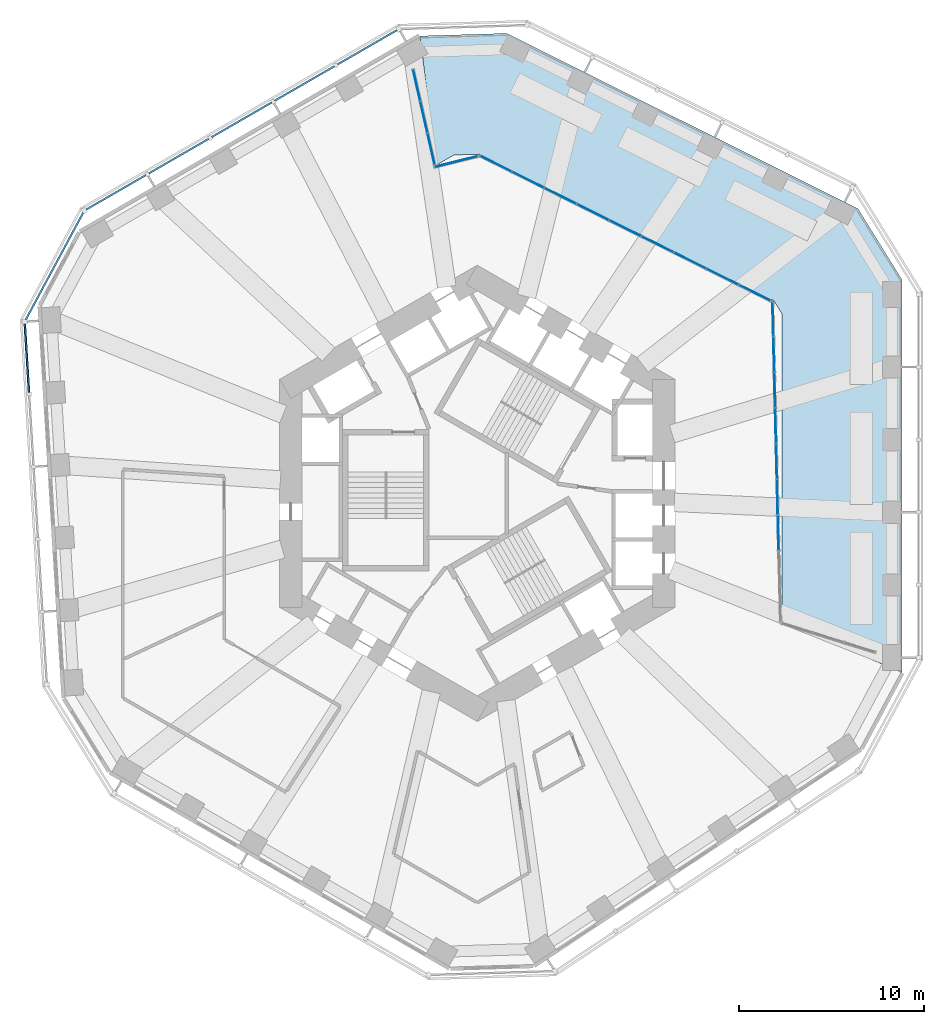
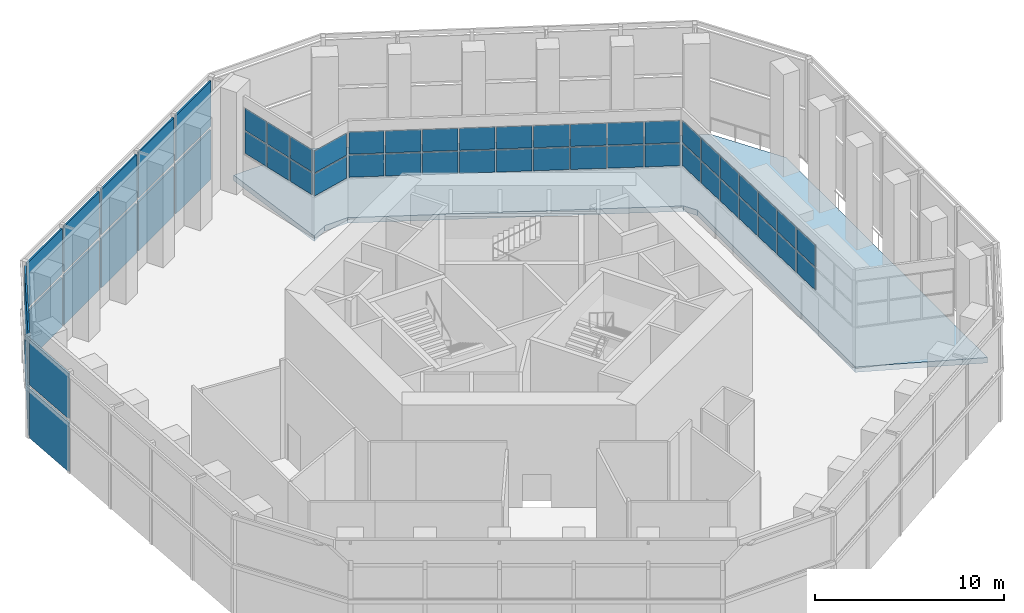
# One storey, part 7 of 17: 54 plates, 1 slab, 7 elements without a shape of their own.
"""IFC4 building model written with IfcOpenShell, lengths in metres."""

from ifc_helpers import new_model, si_unit, direction, frame, origin, origin_2d, place, context, subcontext, project, spatial, polyline, rectangle, outline, extrude, material, layer, layer_set, type_object, element, aggregate, save


model = new_model("IFC4")

# Units and contexts
model_context = context("Model", 3, precision=1e-05, world=origin(), true_north=direction((0.0, 1.0)))
body_context = subcontext(model_context, "Body", "Model", "MODEL_VIEW")
ifc_project = project(units=[si_unit("LENGTHUNIT", "METRE"), si_unit("AREAUNIT", "SQUARE_METRE"), si_unit("VOLUMEUNIT", "CUBIC_METRE"), si_unit("PLANEANGLEUNIT", "RADIAN"), si_unit("MASSUNIT", "GRAM", prefix="KILO")], contexts=[model_context])

# Site, building, storey
site_placement = place(None, origin())
site = spatial("IfcSite", under=ifc_project, at=site_placement, CompositionType="ELEMENT")
building_placement = place(site_placement, origin())
building = spatial("IfcBuilding", under=site, at=building_placement, Name="Vanh Sen Convention Tower", CompositionType="ELEMENT")
storey_placement = place(building_placement, frame((0.0, 0.0, 77.0)))
storey = spatial("IfcBuildingStorey", under=building, at=storey_placement, Name="L17", CompositionType="ELEMENT", Elevation=77.0)

# Curtain wall, plates
ifc_material_1 = material(Name="Aluminium structural glazing system", Category="aluminium")
curtain_wall_type_1 = type_object("IfcCurtainWallType", Name="Sky garden structural glazing", PredefinedType="NOTDEFINED", material=ifc_material_1)
curtain_wall_1_placement = place(storey_placement, origin())
curtain_wall_1 = element("IfcCurtainWall", 1, at=curtain_wall_1_placement, inside=storey, type_object=curtain_wall_type_1, Name="Winter garden glazing 1 L17", PredefinedType="NOTDEFINED")
ifc_material_2 = material(Name="Clear toughened safety glass", Category="glass")
ifc_layer_1 = layer(ifc_material_2, 0.035888671875)
ifc_layer_set_1 = layer_set([ifc_layer_1], Name="Clear toughened safety glass")
plate_type_1 = type_object("IfcPlateType", Name="Garden glazing clear glass panel 36", PredefinedType="CURTAIN_PANEL", material=ifc_layer_set_1)
plate_1_placement = place(storey_placement, frame((-3.27978515625, 22.100830078125, 2.669921875), z_axis=(0.0, 0.0, 1.0), x_axis=(0.220445747654, -0.975399237411, 0.0)))
plate_1 = element("IfcPlate", 2, at=plate_1_placement, type_object=plate_type_1, Name="CW5 panel 1.1", PredefinedType="CURTAIN_PANEL", context=body_context, shape_type="SweptSolid", body=[
    extrude(rectangle(XDim=1.682373046875, YDim=0.035888671875, at=origin_2d()), origin(), (0.0, 0.0, 1.0), 1.419921875),
])
plate_2_placement = place(storey_placement, frame((-3.27978515625, 22.100830078125, 4.16015625), z_axis=(0.0, 0.0, 1.0), x_axis=(0.220445747654, -0.975399237411, 0.0)))
plate_2 = element("IfcPlate", 3, at=plate_2_placement, type_object=plate_type_1, Name="CW5 panel 1.2", PredefinedType="CURTAIN_PANEL", context=body_context, shape_type="SweptSolid", body=[
    extrude(rectangle(XDim=1.682373046875, YDim=0.035888671875, at=origin_2d()), origin(), (0.0, 0.0, 1.0), 1.419921875),
])
plate_3_placement = place(storey_placement, frame((-2.8896484375, 20.37451171875, 2.669921875), z_axis=(0.0, 0.0, 1.0), x_axis=(0.220445747654, -0.975399237411, 0.0)))
plate_3 = element("IfcPlate", 4, at=plate_3_placement, type_object=plate_type_1, Name="CW5 panel 2.1", PredefinedType="CURTAIN_PANEL", context=body_context, shape_type="SweptSolid", body=[
    extrude(rectangle(XDim=1.717529296875, YDim=0.035888671875, at=origin_2d()), origin(), (0.0, 0.0, 1.0), 1.419921875),
])
plate_4_placement = place(storey_placement, frame((-2.8896484375, 20.37451171875, 4.16015625), z_axis=(0.0, 0.0, 1.0), x_axis=(0.220445747654, -0.975399237411, 0.0)))
plate_4 = element("IfcPlate", 5, at=plate_4_placement, type_object=plate_type_1, Name="CW5 panel 2.2", PredefinedType="CURTAIN_PANEL", context=body_context, shape_type="SweptSolid", body=[
    extrude(rectangle(XDim=1.717529296875, YDim=0.035888671875, at=origin_2d()), origin(), (0.0, 0.0, 1.0), 1.419921875),
])
plate_5_placement = place(storey_placement, frame((-2.499267578125, 18.64794921875, 2.669921875), z_axis=(0.0, 0.0, 1.0), x_axis=(0.220445747654, -0.975399237411, 0.0)))
plate_5 = element("IfcPlate", 6, at=plate_5_placement, type_object=plate_type_1, Name="CW5 panel 3.1", PredefinedType="CURTAIN_PANEL", context=body_context, shape_type="SweptSolid", body=[
    extrude(rectangle(XDim=1.682373046875, YDim=0.035888671875, at=origin_2d()), origin(), (0.0, 0.0, 1.0), 1.419921875),
])
plate_6_placement = place(storey_placement, frame((-2.499267578125, 18.64794921875, 4.16015625), z_axis=(0.0, 0.0, 1.0), x_axis=(0.220445747654, -0.975399237411, 0.0)))
plate_6 = element("IfcPlate", 7, at=plate_6_placement, type_object=plate_type_1, Name="CW5 panel 3.2", PredefinedType="CURTAIN_PANEL", context=body_context, shape_type="SweptSolid", body=[
    extrude(rectangle(XDim=1.682373046875, YDim=0.035888671875, at=origin_2d()), origin(), (0.0, 0.0, 1.0), 1.419921875),
])
aggregate(curtain_wall_1, [plate_1, plate_2, plate_3, plate_4, plate_5, plate_6])

curtain_wall_2_placement = place(storey_placement, origin())
curtain_wall_2 = element("IfcCurtainWall", 8, at=curtain_wall_2_placement, inside=storey, type_object=curtain_wall_type_1, Name="Winter garden glazing 2 L17", PredefinedType="NOTDEFINED")
plate_7_placement = place(storey_placement, frame((-1.139404296875, 17.9638671875, 2.669921875), z_axis=(0.0, 0.0, 1.0), x_axis=(0.969816771007, 0.243834843024, 0.0)))
plate_7 = element("IfcPlate", 9, at=plate_7_placement, type_object=plate_type_1, Name="CW5 panel 1.1", PredefinedType="CURTAIN_PANEL", context=body_context, shape_type="SweptSolid", body=[
    extrude(rectangle(XDim=2.35888671875, YDim=0.035888671875, at=origin_2d()), origin(), (0.0, 0.0, 1.0), 1.419921875),
])
plate_8_placement = place(storey_placement, frame((-1.139404296875, 17.9638671875, 4.16015625), z_axis=(0.0, 0.0, 1.0), x_axis=(0.969816771007, 0.243834843024, 0.0)))
plate_8 = element("IfcPlate", 10, at=plate_8_placement, type_object=plate_type_1, Name="CW5 panel 1.2", PredefinedType="CURTAIN_PANEL", context=body_context, shape_type="SweptSolid", body=[
    extrude(rectangle(XDim=2.35888671875, YDim=0.035888671875, at=origin_2d()), origin(), (0.0, 0.0, 1.0), 1.419921875),
])
aggregate(curtain_wall_2, [plate_7, plate_8])

curtain_wall_3_placement = place(storey_placement, origin())
curtain_wall_3 = element("IfcCurtainWall", 11, at=curtain_wall_3_placement, inside=storey, type_object=curtain_wall_type_1, Name="Winter garden glazing 3 L17", PredefinedType="NOTDEFINED")
plate_9_placement = place(storey_placement, frame((1.006103515625, 17.851806640625, 2.669921875), z_axis=(0.0, 0.0, 1.0), x_axis=(0.894931751706, -0.446203047714, 0.0)))
plate_9 = element("IfcPlate", 12, at=plate_9_placement, type_object=plate_type_1, Name="CW5 panel 1.1", PredefinedType="CURTAIN_PANEL", context=body_context, shape_type="SweptSolid", body=[
    extrude(rectangle(XDim=1.857177734375, YDim=0.035888671875, at=origin_2d()), origin(), (0.0, 0.0, 1.0), 1.419921875),
])
plate_10_placement = place(storey_placement, frame((1.006103515625, 17.851806640625, 4.16015625), z_axis=(0.0, 0.0, 1.0), x_axis=(0.894931751706, -0.446203047714, 0.0)))
plate_10 = element("IfcPlate", 13, at=plate_10_placement, type_object=plate_type_1, Name="CW5 panel 1.2", PredefinedType="CURTAIN_PANEL", context=body_context, shape_type="SweptSolid", body=[
    extrude(rectangle(XDim=1.857177734375, YDim=0.035888671875, at=origin_2d()), origin(), (0.0, 0.0, 1.0), 1.419921875),
])
plate_11_placement = place(storey_placement, frame((2.746337890625, 16.984130859375, 2.669921875), z_axis=(0.0, 0.0, 1.0), x_axis=(0.894931751706, -0.446203047714, 0.0)))
plate_11 = element("IfcPlate", 14, at=plate_11_placement, type_object=plate_type_1, Name="CW5 panel 2.1", PredefinedType="CURTAIN_PANEL", context=body_context, shape_type="SweptSolid", body=[
    extrude(rectangle(XDim=1.89208984375, YDim=0.035888671875, at=origin_2d()), origin(), (0.0, 0.0, 1.0), 1.419921875),
])
plate_12_placement = place(storey_placement, frame((2.746337890625, 16.984130859375, 4.16015625), z_axis=(0.0, 0.0, 1.0), x_axis=(0.894931751706, -0.446203047714, 0.0)))
plate_12 = element("IfcPlate", 15, at=plate_12_placement, type_object=plate_type_1, Name="CW5 panel 2.2", PredefinedType="CURTAIN_PANEL", context=body_context, shape_type="SweptSolid", body=[
    extrude(rectangle(XDim=1.89208984375, YDim=0.035888671875, at=origin_2d()), origin(), (0.0, 0.0, 1.0), 1.419921875),
])
plate_13_placement = place(storey_placement, frame((4.50244140625, 16.108642578125, 2.669921875), z_axis=(0.0, 0.0, 1.0), x_axis=(0.894931751706, -0.446203047714, 0.0)))
plate_13 = element("IfcPlate", 16, at=plate_13_placement, type_object=plate_type_1, Name="CW5 panel 3.1", PredefinedType="CURTAIN_PANEL", context=body_context, shape_type="SweptSolid", body=[
    extrude(rectangle(XDim=1.89208984375, YDim=0.035888671875, at=origin_2d()), origin(), (0.0, 0.0, 1.0), 1.419921875),
])
plate_14_placement = place(storey_placement, frame((4.50244140625, 16.108642578125, 4.16015625), z_axis=(0.0, 0.0, 1.0), x_axis=(0.894931751706, -0.446203047714, 0.0)))
plate_14 = element("IfcPlate", 17, at=plate_14_placement, type_object=plate_type_1, Name="CW5 panel 3.2", PredefinedType="CURTAIN_PANEL", context=body_context, shape_type="SweptSolid", body=[
    extrude(rectangle(XDim=1.89208984375, YDim=0.035888671875, at=origin_2d()), origin(), (0.0, 0.0, 1.0), 1.419921875),
])
plate_15_placement = place(storey_placement, frame((6.25830078125, 15.233154296875, 2.669921875), z_axis=(0.0, 0.0, 1.0), x_axis=(0.894931751706, -0.446203047714, 0.0)))
plate_15 = element("IfcPlate", 18, at=plate_15_placement, type_object=plate_type_1, Name="CW5 panel 4.1", PredefinedType="CURTAIN_PANEL", context=body_context, shape_type="SweptSolid", body=[
    extrude(rectangle(XDim=1.89208984375, YDim=0.035888671875, at=origin_2d()), origin(), (0.0, 0.0, 1.0), 1.419921875),
])
plate_16_placement = place(storey_placement, frame((6.25830078125, 15.233154296875, 4.16015625), z_axis=(0.0, 0.0, 1.0), x_axis=(0.894931751706, -0.446203047714, 0.0)))
plate_16 = element("IfcPlate", 19, at=plate_16_placement, type_object=plate_type_1, Name="CW5 panel 4.2", PredefinedType="CURTAIN_PANEL", context=body_context, shape_type="SweptSolid", body=[
    extrude(rectangle(XDim=1.89208984375, YDim=0.035888671875, at=origin_2d()), origin(), (0.0, 0.0, 1.0), 1.419921875),
])
plate_17_placement = place(storey_placement, frame((8.01416015625, 14.357666015625, 2.669921875), z_axis=(0.0, 0.0, 1.0), x_axis=(0.894931751706, -0.446203047714, 0.0)))
plate_17 = element("IfcPlate", 20, at=plate_17_placement, type_object=plate_type_1, Name="CW5 panel 5.1", PredefinedType="CURTAIN_PANEL", context=body_context, shape_type="SweptSolid", body=[
    extrude(rectangle(XDim=1.89208984375, YDim=0.035888671875, at=origin_2d()), origin(), (0.0, 0.0, 1.0), 1.419921875),
])
plate_18_placement = place(storey_placement, frame((8.01416015625, 14.357666015625, 4.16015625), z_axis=(0.0, 0.0, 1.0), x_axis=(0.894931751706, -0.446203047714, 0.0)))
plate_18 = element("IfcPlate", 21, at=plate_18_placement, type_object=plate_type_1, Name="CW5 panel 5.2", PredefinedType="CURTAIN_PANEL", context=body_context, shape_type="SweptSolid", body=[
    extrude(rectangle(XDim=1.89208984375, YDim=0.035888671875, at=origin_2d()), origin(), (0.0, 0.0, 1.0), 1.419921875),
])
plate_19_placement = place(storey_placement, frame((9.77001953125, 13.482177734375, 2.669921875), z_axis=(0.0, 0.0, 1.0), x_axis=(0.894931751706, -0.446203047714, 0.0)))
plate_19 = element("IfcPlate", 22, at=plate_19_placement, type_object=plate_type_1, Name="CW5 panel 6.1", PredefinedType="CURTAIN_PANEL", context=body_context, shape_type="SweptSolid", body=[
    extrude(rectangle(XDim=1.89208984375, YDim=0.035888671875, at=origin_2d()), origin(), (0.0, 0.0, 1.0), 1.419921875),
])
plate_20_placement = place(storey_placement, frame((9.77001953125, 13.482177734375, 4.16015625), z_axis=(0.0, 0.0, 1.0), x_axis=(0.894931751706, -0.446203047714, 0.0)))
plate_20 = element("IfcPlate", 23, at=plate_20_placement, type_object=plate_type_1, Name="CW5 panel 6.2", PredefinedType="CURTAIN_PANEL", context=body_context, shape_type="SweptSolid", body=[
    extrude(rectangle(XDim=1.89208984375, YDim=0.035888671875, at=origin_2d()), origin(), (0.0, 0.0, 1.0), 1.419921875),
])
plate_21_placement = place(storey_placement, frame((11.526123046875, 12.606689453125, 2.669921875), z_axis=(0.0, 0.0, 1.0), x_axis=(0.894931751706, -0.446203047714, 0.0)))
plate_21 = element("IfcPlate", 24, at=plate_21_placement, type_object=plate_type_1, Name="CW5 panel 7.1", PredefinedType="CURTAIN_PANEL", context=body_context, shape_type="SweptSolid", body=[
    extrude(rectangle(XDim=1.89208984375, YDim=0.035888671875, at=origin_2d()), origin(), (0.0, 0.0, 1.0), 1.419921875),
])
plate_22_placement = place(storey_placement, frame((11.526123046875, 12.606689453125, 4.16015625), z_axis=(0.0, 0.0, 1.0), x_axis=(0.894931751706, -0.446203047714, 0.0)))
plate_22 = element("IfcPlate", 25, at=plate_22_placement, type_object=plate_type_1, Name="CW5 panel 7.2", PredefinedType="CURTAIN_PANEL", context=body_context, shape_type="SweptSolid", body=[
    extrude(rectangle(XDim=1.89208984375, YDim=0.035888671875, at=origin_2d()), origin(), (0.0, 0.0, 1.0), 1.419921875),
])
plate_23_placement = place(storey_placement, frame((13.281982421875, 11.731201171875, 2.669921875), z_axis=(0.0, 0.0, 1.0), x_axis=(0.894931751706, -0.446203047714, 0.0)))
plate_23 = element("IfcPlate", 26, at=plate_23_placement, type_object=plate_type_1, Name="CW5 panel 8.1", PredefinedType="CURTAIN_PANEL", context=body_context, shape_type="SweptSolid", body=[
    extrude(rectangle(XDim=1.89208984375, YDim=0.035888671875, at=origin_2d()), origin(), (0.0, 0.0, 1.0), 1.419921875),
])
plate_24_placement = place(storey_placement, frame((13.281982421875, 11.731201171875, 4.16015625), z_axis=(0.0, 0.0, 1.0), x_axis=(0.894931751706, -0.446203047714, 0.0)))
plate_24 = element("IfcPlate", 27, at=plate_24_placement, type_object=plate_type_1, Name="CW5 panel 8.2", PredefinedType="CURTAIN_PANEL", context=body_context, shape_type="SweptSolid", body=[
    extrude(rectangle(XDim=1.89208984375, YDim=0.035888671875, at=origin_2d()), origin(), (0.0, 0.0, 1.0), 1.419921875),
])
plate_25_placement = place(storey_placement, frame((15.022216796875, 10.863525390625, 2.669921875), z_axis=(0.0, 0.0, 1.0), x_axis=(0.894931751706, -0.446203047714, 0.0)))
plate_25 = element("IfcPlate", 28, at=plate_25_placement, type_object=plate_type_1, Name="CW5 panel 9.1", PredefinedType="CURTAIN_PANEL", context=body_context, shape_type="SweptSolid", body=[
    extrude(rectangle(XDim=1.857177734375, YDim=0.035888671875, at=origin_2d()), origin(), (0.0, 0.0, 1.0), 1.419921875),
])
plate_26_placement = place(storey_placement, frame((15.022216796875, 10.863525390625, 4.16015625), z_axis=(0.0, 0.0, 1.0), x_axis=(0.894931751706, -0.446203047714, 0.0)))
plate_26 = element("IfcPlate", 29, at=plate_26_placement, type_object=plate_type_1, Name="CW5 panel 9.2", PredefinedType="CURTAIN_PANEL", context=body_context, shape_type="SweptSolid", body=[
    extrude(rectangle(XDim=1.857177734375, YDim=0.035888671875, at=origin_2d()), origin(), (0.0, 0.0, 1.0), 1.419921875),
])
aggregate(curtain_wall_3, [plate_9, plate_10, plate_11, plate_12, plate_13, plate_14, plate_15, plate_16, plate_17, plate_18, plate_19, plate_20, plate_21, plate_22, plate_23, plate_24, plate_25, plate_26])

curtain_wall_4_placement = place(storey_placement, origin())
curtain_wall_4 = element("IfcCurtainWall", 30, at=curtain_wall_4_placement, inside=storey, type_object=curtain_wall_type_1, Name="Winter garden glazing 4 L17", PredefinedType="NOTDEFINED")
plate_27_placement = place(storey_placement, frame((16.015380859375, 9.44140625, 2.669921875), z_axis=(0.0, 0.0, 1.0), x_axis=(0.024971939984, -0.999688152482, 0.0)))
plate_27 = element("IfcPlate", 31, at=plate_27_placement, type_object=plate_type_1, Name="CW5 panel 1.1", PredefinedType="CURTAIN_PANEL", context=body_context, shape_type="SweptSolid", body=[
    extrude(rectangle(XDim=1.827880859375, YDim=0.035888671875, at=origin_2d()), origin(), (0.0, 0.0, 1.0), 1.419921875),
])
plate_28_placement = place(storey_placement, frame((16.015380859375, 9.44140625, 4.16015625), z_axis=(0.0, 0.0, 1.0), x_axis=(0.024971939984, -0.999688152482, 0.0)))
plate_28 = element("IfcPlate", 32, at=plate_28_placement, type_object=plate_type_1, Name="CW5 panel 1.2", PredefinedType="CURTAIN_PANEL", context=body_context, shape_type="SweptSolid", body=[
    extrude(rectangle(XDim=1.827880859375, YDim=0.035888671875, at=origin_2d()), origin(), (0.0, 0.0, 1.0), 1.419921875),
])
plate_29_placement = place(storey_placement, frame((16.06298828125, 7.52685546875, 2.669921875), z_axis=(0.0, 0.0, 1.0), x_axis=(0.024971939984, -0.999688152482, 0.0)))
plate_29 = element("IfcPlate", 33, at=plate_29_placement, type_object=plate_type_1, Name="CW5 panel 2.1", PredefinedType="CURTAIN_PANEL", context=body_context, shape_type="SweptSolid", body=[
    extrude(rectangle(XDim=1.86279296875, YDim=0.035888671875, at=origin_2d()), origin(), (0.0, 0.0, 1.0), 1.419921875),
])
plate_30_placement = place(storey_placement, frame((16.06298828125, 7.52685546875, 4.16015625), z_axis=(0.0, 0.0, 1.0), x_axis=(0.024971939984, -0.999688152482, 0.0)))
plate_30 = element("IfcPlate", 34, at=plate_30_placement, type_object=plate_type_1, Name="CW5 panel 2.2", PredefinedType="CURTAIN_PANEL", context=body_context, shape_type="SweptSolid", body=[
    extrude(rectangle(XDim=1.86279296875, YDim=0.035888671875, at=origin_2d()), origin(), (0.0, 0.0, 1.0), 1.419921875),
])
plate_31_placement = place(storey_placement, frame((16.111328125, 5.594482421875, 2.669921875), z_axis=(0.0, 0.0, 1.0), x_axis=(0.024971939984, -0.999688152482, 0.0)))
plate_31 = element("IfcPlate", 35, at=plate_31_placement, type_object=plate_type_1, Name="CW5 panel 3.1", PredefinedType="CURTAIN_PANEL", context=body_context, shape_type="SweptSolid", body=[
    extrude(rectangle(XDim=1.86279296875, YDim=0.035888671875, at=origin_2d()), origin(), (0.0, 0.0, 1.0), 1.419921875),
])
plate_32_placement = place(storey_placement, frame((16.111328125, 5.594482421875, 4.16015625), z_axis=(0.0, 0.0, 1.0), x_axis=(0.024971939984, -0.999688152482, 0.0)))
plate_32 = element("IfcPlate", 36, at=plate_32_placement, type_object=plate_type_1, Name="CW5 panel 3.2", PredefinedType="CURTAIN_PANEL", context=body_context, shape_type="SweptSolid", body=[
    extrude(rectangle(XDim=1.86279296875, YDim=0.035888671875, at=origin_2d()), origin(), (0.0, 0.0, 1.0), 1.419921875),
])
plate_33_placement = place(storey_placement, frame((16.15966796875, 3.662353515625, 2.669921875), z_axis=(0.0, 0.0, 1.0), x_axis=(0.024971939984, -0.999688152482, 0.0)))
plate_33 = element("IfcPlate", 37, at=plate_33_placement, type_object=plate_type_1, Name="CW5 panel 4.1", PredefinedType="CURTAIN_PANEL", context=body_context, shape_type="SweptSolid", body=[
    extrude(rectangle(XDim=1.86279296875, YDim=0.035888671875, at=origin_2d()), origin(), (0.0, 0.0, 1.0), 1.419921875),
])
plate_34_placement = place(storey_placement, frame((16.15966796875, 3.662353515625, 4.16015625), z_axis=(0.0, 0.0, 1.0), x_axis=(0.024971939984, -0.999688152482, 0.0)))
plate_34 = element("IfcPlate", 38, at=plate_34_placement, type_object=plate_type_1, Name="CW5 panel 4.2", PredefinedType="CURTAIN_PANEL", context=body_context, shape_type="SweptSolid", body=[
    extrude(rectangle(XDim=1.86279296875, YDim=0.035888671875, at=origin_2d()), origin(), (0.0, 0.0, 1.0), 1.419921875),
])
plate_35_placement = place(storey_placement, frame((16.2080078125, 1.72998046875, 2.669921875), z_axis=(0.0, 0.0, 1.0), x_axis=(0.024971939984, -0.999688152482, 0.0)))
plate_35 = element("IfcPlate", 39, at=plate_35_placement, type_object=plate_type_1, Name="CW5 panel 5.1", PredefinedType="CURTAIN_PANEL", context=body_context, shape_type="SweptSolid", body=[
    extrude(rectangle(XDim=1.86279296875, YDim=0.035888671875, at=origin_2d()), origin(), (0.0, 0.0, 1.0), 1.419921875),
])
plate_36_placement = place(storey_placement, frame((16.2080078125, 1.72998046875, 4.16015625), z_axis=(0.0, 0.0, 1.0), x_axis=(0.024971939984, -0.999688152482, 0.0)))
plate_36 = element("IfcPlate", 40, at=plate_36_placement, type_object=plate_type_1, Name="CW5 panel 5.2", PredefinedType="CURTAIN_PANEL", context=body_context, shape_type="SweptSolid", body=[
    extrude(rectangle(XDim=1.86279296875, YDim=0.035888671875, at=origin_2d()), origin(), (0.0, 0.0, 1.0), 1.419921875),
])
plate_37_placement = place(storey_placement, frame((16.256103515625, -0.2021484375, 2.669921875), z_axis=(0.0, 0.0, 1.0), x_axis=(0.024971939984, -0.999688152482, 0.0)))
plate_37 = element("IfcPlate", 41, at=plate_37_placement, type_object=plate_type_1, Name="CW5 panel 6.1", PredefinedType="CURTAIN_PANEL", context=body_context, shape_type="SweptSolid", body=[
    extrude(rectangle(XDim=1.86279296875, YDim=0.035888671875, at=origin_2d()), origin(), (0.0, 0.0, 1.0), 1.419921875),
])
plate_38_placement = place(storey_placement, frame((16.256103515625, -0.2021484375, 4.16015625), z_axis=(0.0, 0.0, 1.0), x_axis=(0.024971939984, -0.999688152482, 0.0)))
plate_38 = element("IfcPlate", 42, at=plate_38_placement, type_object=plate_type_1, Name="CW5 panel 6.2", PredefinedType="CURTAIN_PANEL", context=body_context, shape_type="SweptSolid", body=[
    extrude(rectangle(XDim=1.86279296875, YDim=0.035888671875, at=origin_2d()), origin(), (0.0, 0.0, 1.0), 1.419921875),
])
plate_39_placement = place(storey_placement, frame((16.304443359375, -2.134521484375, 2.669921875), z_axis=(0.0, 0.0, 1.0), x_axis=(0.024971939984, -0.999688152482, 0.0)))
plate_39 = element("IfcPlate", 43, at=plate_39_placement, type_object=plate_type_1, Name="CW5 panel 7.1", PredefinedType="CURTAIN_PANEL", context=body_context, shape_type="SweptSolid", body=[
    extrude(rectangle(XDim=1.86279296875, YDim=0.035888671875, at=origin_2d()), origin(), (0.0, 0.0, 1.0), 1.419921875),
])
plate_40_placement = place(storey_placement, frame((16.304443359375, -2.134521484375, 4.16015625), z_axis=(0.0, 0.0, 1.0), x_axis=(0.024971939984, -0.999688152482, 0.0)))
plate_40 = element("IfcPlate", 44, at=plate_40_placement, type_object=plate_type_1, Name="CW5 panel 7.2", PredefinedType="CURTAIN_PANEL", context=body_context, shape_type="SweptSolid", body=[
    extrude(rectangle(XDim=1.86279296875, YDim=0.035888671875, at=origin_2d()), origin(), (0.0, 0.0, 1.0), 1.419921875),
])
aggregate(curtain_wall_4, [plate_27, plate_28, plate_29, plate_30, plate_31, plate_32, plate_33, plate_34, plate_35, plate_36, plate_37, plate_38, plate_39, plate_40])

ifc_material_3 = material(Name="Concrete C50/60", Category="concrete")
curtain_wall_type_2 = type_object("IfcCurtainWallType", Name="Outer skin hotel zone", PredefinedType="NOTDEFINED", material=ifc_material_3)
curtain_wall_5_placement = place(storey_placement, origin())
curtain_wall_5 = element("IfcCurtainWall", 45, at=curtain_wall_5_placement, inside=storey, type_object=curtain_wall_type_2, Name="OUTER SKIN NW L17", PredefinedType="NOTDEFINED")
ifc_layer_2 = layer(ifc_material_3, 0.10009765625)
ifc_layer_set_2 = layer_set([ifc_layer_2], Name="Concrete C50/60")
plate_type_2 = type_object("IfcPlateType", Name="Outer skin precast screen panel 100", PredefinedType="CURTAIN_PANEL", material=ifc_layer_set_2)
plate_41_placement = place(storey_placement, frame((-5.95751953125, 24.15771484375, 0.0), z_axis=(0.0, 0.0, 1.0), x_axis=(-0.866028021766, -0.499995465495, 0.0)))
plate_41 = element("IfcPlate", 46, at=plate_41_placement, type_object=plate_type_2, Name="OUTER SKIN screen panel NW-1", PredefinedType="CURTAIN_PANEL", context=body_context, shape_type="SweptSolid", body=[
    extrude(rectangle(XDim=3.709716796875, YDim=0.10009765625, at=origin_2d()), origin(), (0.0, 0.0, 1.0), 3.175048828125),
])
plate_42_placement = place(storey_placement, frame((-5.95751953125, 24.15771484375, 3.4248046875), z_axis=(0.0, 0.0, 1.0), x_axis=(-0.866028021766, -0.499995465495, 0.0)))
plate_42 = element("IfcPlate", 47, at=plate_42_placement, type_object=plate_type_2, Name="OUTER SKIN screen panel NW-1", PredefinedType="CURTAIN_PANEL", context=body_context, shape_type="SweptSolid", body=[
    extrude(rectangle(XDim=3.709716796875, YDim=0.10009765625, at=origin_2d()), origin(), (0.0, 0.0, 1.0), 2.925048828125),
])
plate_43_placement = place(storey_placement, frame((-9.354248046875, 22.19677734375, 0.0), z_axis=(0.0, 0.0, 1.0), x_axis=(-0.866021040428, -0.500007557478, 0.0)))
plate_43 = element("IfcPlate", 48, at=plate_43_placement, type_object=plate_type_2, Name="OUTER SKIN screen panel NW-2", PredefinedType="CURTAIN_PANEL", context=body_context, shape_type="SweptSolid", body=[
    extrude(rectangle(XDim=3.734619140625, YDim=0.10009765625, at=origin_2d()), origin(), (0.0, 0.0, 1.0), 3.175048828125),
])
plate_44_placement = place(storey_placement, frame((-9.354248046875, 22.19677734375, 3.4248046875), z_axis=(0.0, 0.0, 1.0), x_axis=(-0.866021040428, -0.500007557478, 0.0)))
plate_44 = element("IfcPlate", 49, at=plate_44_placement, type_object=plate_type_2, Name="OUTER SKIN screen panel NW-2", PredefinedType="CURTAIN_PANEL", context=body_context, shape_type="SweptSolid", body=[
    extrude(rectangle(XDim=3.734619140625, YDim=0.10009765625, at=origin_2d()), origin(), (0.0, 0.0, 1.0), 2.925048828125),
])
plate_45_placement = place(storey_placement, frame((-12.76171875, 20.2294921875, 0.0), z_axis=(0.0, 0.0, 1.0), x_axis=(-0.866028021766, -0.499995465495, 0.0)))
plate_45 = element("IfcPlate", 50, at=plate_45_placement, type_object=plate_type_2, Name="OUTER SKIN screen panel NW-3", PredefinedType="CURTAIN_PANEL", context=body_context, shape_type="SweptSolid", body=[
    extrude(rectangle(XDim=3.734619140625, YDim=0.10009765625, at=origin_2d()), origin(), (0.0, 0.0, 1.0), 3.175048828125),
])
plate_46_placement = place(storey_placement, frame((-12.76171875, 20.2294921875, 3.4248046875), z_axis=(0.0, 0.0, 1.0), x_axis=(-0.866028021766, -0.499995465495, 0.0)))
plate_46 = element("IfcPlate", 51, at=plate_46_placement, type_object=plate_type_2, Name="OUTER SKIN screen panel NW-3", PredefinedType="CURTAIN_PANEL", context=body_context, shape_type="SweptSolid", body=[
    extrude(rectangle(XDim=3.734619140625, YDim=0.10009765625, at=origin_2d()), origin(), (0.0, 0.0, 1.0), 2.925048828125),
])
plate_47_placement = place(storey_placement, frame((-16.169189453125, 18.26220703125, 0.0), z_axis=(0.0, 0.0, 1.0), x_axis=(-0.866028021766, -0.499995465495, 0.0)))
plate_47 = element("IfcPlate", 52, at=plate_47_placement, type_object=plate_type_2, Name="OUTER SKIN screen panel NW-4", PredefinedType="CURTAIN_PANEL", context=body_context, shape_type="SweptSolid", body=[
    extrude(rectangle(XDim=3.734619140625, YDim=0.10009765625, at=origin_2d()), origin(), (0.0, 0.0, 1.0), 3.175048828125),
])
plate_48_placement = place(storey_placement, frame((-16.169189453125, 18.26220703125, 3.4248046875), z_axis=(0.0, 0.0, 1.0), x_axis=(-0.866028021766, -0.499995465495, 0.0)))
plate_48 = element("IfcPlate", 53, at=plate_48_placement, type_object=plate_type_2, Name="OUTER SKIN screen panel NW-4", PredefinedType="CURTAIN_PANEL", context=body_context, shape_type="SweptSolid", body=[
    extrude(rectangle(XDim=3.734619140625, YDim=0.10009765625, at=origin_2d()), origin(), (0.0, 0.0, 1.0), 2.925048828125),
])
plate_49_placement = place(storey_placement, frame((-19.56591796875, 16.301025390625, 0.0), z_axis=(0.0, 0.0, 1.0), x_axis=(-0.866021040428, -0.500007557478, 0.0)))
plate_49 = element("IfcPlate", 54, at=plate_49_placement, type_object=plate_type_2, Name="OUTER SKIN screen panel NW-5", PredefinedType="CURTAIN_PANEL", context=body_context, shape_type="SweptSolid", body=[
    extrude(rectangle(XDim=3.70947265625, YDim=0.10009765625, at=origin_2d()), origin(), (0.0, 0.0, 1.0), 3.175048828125),
])
plate_50_placement = place(storey_placement, frame((-19.56591796875, 16.301025390625, 3.4248046875), z_axis=(0.0, 0.0, 1.0), x_axis=(-0.866021040428, -0.500007557478, 0.0)))
plate_50 = element("IfcPlate", 55, at=plate_50_placement, type_object=plate_type_2, Name="OUTER SKIN screen panel NW-5", PredefinedType="CURTAIN_PANEL", context=body_context, shape_type="SweptSolid", body=[
    extrude(rectangle(XDim=3.70947265625, YDim=0.10009765625, at=origin_2d()), origin(), (0.0, 0.0, 1.0), 2.925048828125),
])
aggregate(curtain_wall_5, [plate_41, plate_42, plate_43, plate_44, plate_45, plate_46, plate_47, plate_48, plate_49, plate_50])

curtain_wall_6_placement = place(storey_placement, origin())
curtain_wall_6 = element("IfcCurtainWall", 56, at=curtain_wall_6_placement, inside=storey, type_object=curtain_wall_type_2, Name="OUTER SKIN CH3 L17", PredefinedType="NOTDEFINED")
plate_51_placement = place(storey_placement, frame((-22.896728515625, 12.302978515625, 0.0), z_axis=(0.0, 0.0, 1.0), x_axis=(-0.47331812974, -0.880891564303, 0.0)))
plate_51 = element("IfcPlate", 57, at=plate_51_placement, type_object=plate_type_2, Name="OUTER SKIN screen panel CH3-1", PredefinedType="CURTAIN_PANEL", context=body_context, shape_type="SweptSolid", body=[
    extrude(rectangle(XDim=6.580078125, YDim=0.10009765625, at=origin_2d()), origin(), (0.0, 0.0, 1.0), 3.175048828125),
])
plate_52_placement = place(storey_placement, frame((-22.896728515625, 12.302978515625, 3.4248046875), z_axis=(0.0, 0.0, 1.0), x_axis=(-0.47331812974, -0.880891564303, 0.0)))
plate_52 = element("IfcPlate", 58, at=plate_52_placement, type_object=plate_type_2, Name="OUTER SKIN screen panel CH3-1", PredefinedType="CURTAIN_PANEL", context=body_context, shape_type="SweptSolid", body=[
    extrude(rectangle(XDim=6.580078125, YDim=0.10009765625, at=origin_2d()), origin(), (0.0, 0.0, 1.0), 2.925048828125),
])
aggregate(curtain_wall_6, [plate_51, plate_52])

curtain_wall_7_placement = place(storey_placement, origin())
curtain_wall_7 = element("IfcCurtainWall", 59, at=curtain_wall_7_placement, inside=storey, type_object=curtain_wall_type_2, Name="OUTER SKIN W L17", PredefinedType="NOTDEFINED")
plate_53_placement = place(storey_placement, frame((-24.39208984375, 7.318603515625, 0.0), z_axis=(0.0, 0.0, 1.0), x_axis=(0.061046797461, -0.99813490497, 0.0)))
plate_53 = element("IfcPlate", 60, at=plate_53_placement, type_object=plate_type_2, Name="OUTER SKIN screen panel W-1", PredefinedType="CURTAIN_PANEL", context=body_context, shape_type="SweptSolid", body=[
    extrude(rectangle(XDim=3.709716796875, YDim=0.10009765625, at=origin_2d()), origin(), (0.0, 0.0, 1.0), 3.175048828125),
])
plate_54_placement = place(storey_placement, frame((-24.39208984375, 7.318603515625, 3.4248046875), z_axis=(0.0, 0.0, 1.0), x_axis=(0.061046797461, -0.99813490497, 0.0)))
plate_54 = element("IfcPlate", 61, at=plate_54_placement, type_object=plate_type_2, Name="OUTER SKIN screen panel W-1", PredefinedType="CURTAIN_PANEL", context=body_context, shape_type="SweptSolid", body=[
    extrude(rectangle(XDim=3.709716796875, YDim=0.10009765625, at=origin_2d()), origin(), (0.0, 0.0, 1.0), 2.925048828125),
])
aggregate(curtain_wall_7, [plate_53, plate_54])

# Slab
ifc_material_4 = material(Name="Concrete C40/50", Category="concrete")
ifc_layer_3 = layer(ifc_material_4, 0.35009765625)
ifc_layer_set_3 = layer_set([ifc_layer_3], Name="Concrete C40/50")
slab_type = type_object("IfcSlabType", Name="Terrace slab 350, compartment floor REI 180", PredefinedType="FLOOR", material=ifc_layer_set_3)
slab_placement = place(storey_placement, frame((0.0, 0.0, -0.35009765625)))
element("IfcSlab", 62, at=slab_placement, inside=storey, type_object=slab_type, Name="Sky garden terrace slab L17", PredefinedType="FLOOR", context=body_context, shape_type="SweptSolid", body=[
    extrude(outline(polyline([(-3.10009765625, 24.768310546875), (-2.22412109375, 17.7685546875), (-1.2666015625, 18.3212890625), (0.14599609375, 18.364501953125), (16.065673828125, 10.427001953125), (16.5, 9.72509765625), (16.5, -6.9580078125), (23.0, -9.69921875), (23.0, 11.57373046875), (20.620361328125, 15.419189453125), (1.58251953125, 24.911376953125), (-3.10009765625, 24.768310546875), (-3.10009765625, 24.768310546875)])), origin(), (0.0, 0.0, 1.0), 0.35009765625),
])

save(model, "model.ifc")
